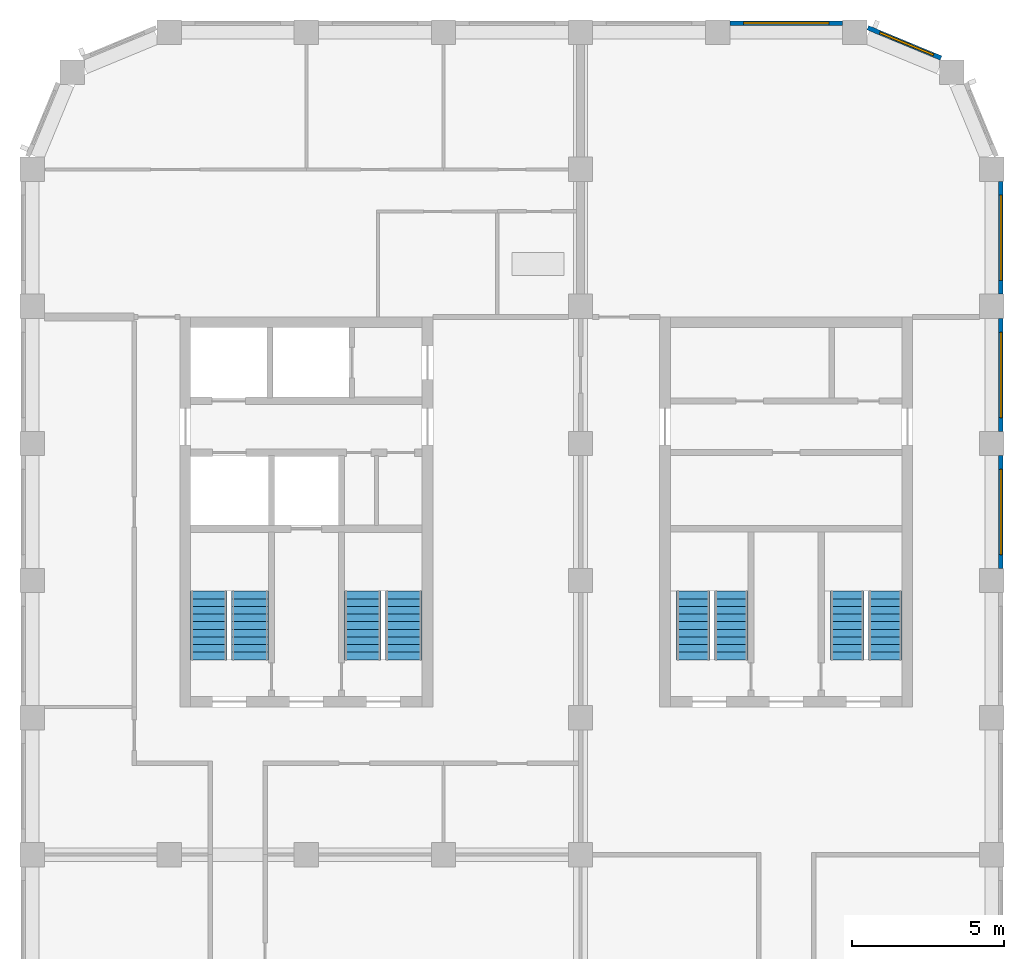
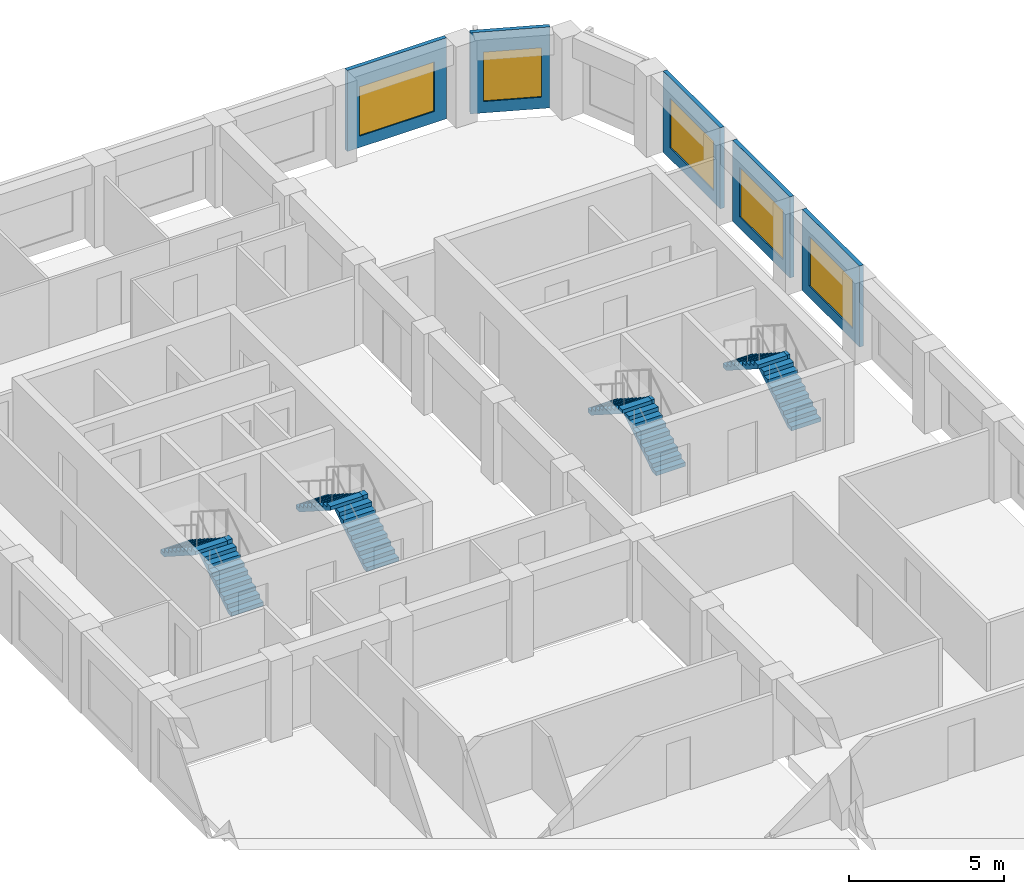
# One storey, part 7 of 9: 8 stair flights, 5 walls, 5 windows, 5 openings, 4 elements without a shape of their own.
"""IFC4 building model written with IfcOpenShell, lengths in metres."""

from ifc_helpers import new_model, si_unit, direction, frame, frame_2d, origin, place, context, subcontext, project, spatial, polyline, rectangle, outline, extrude, material, layer, layer_set, type_object, element, fill, aggregate, save


model = new_model("IFC4")

# Units and contexts
model_context = context("Model", 3, precision=1e-05, world=origin(), true_north=direction((0.0, 1.0)))
body_context = subcontext(model_context, "Body", "Model", "MODEL_VIEW")
ifc_project = project(units=[si_unit("LENGTHUNIT", "METRE"), si_unit("AREAUNIT", "SQUARE_METRE"), si_unit("VOLUMEUNIT", "CUBIC_METRE"), si_unit("PLANEANGLEUNIT", "RADIAN"), si_unit("MASSUNIT", "GRAM", prefix="KILO")], contexts=[model_context])

# Site, building, storey
site_placement = place(None, origin())
site = spatial("IfcSite", under=ifc_project, at=site_placement, CompositionType="ELEMENT")
building_placement = place(site_placement, origin())
building = spatial("IfcBuilding", under=site, at=building_placement, Name="Girih Gate Residences", CompositionType="ELEMENT")
storey_placement = place(building_placement, frame((0.0, 0.0, 198.699951171875)))
storey = spatial("IfcBuildingStorey", under=building, at=storey_placement, Name="L55", CompositionType="ELEMENT", Elevation=198.699951171875)

# Wall, opening, window
ifc_material_1 = material(Name="Precast concrete C50/60", Category="concrete")
ifc_layer_1 = layer(ifc_material_1, 0.050048828125, Name="Outer leaf")
ifc_material_2 = material(Name="Rigid PIR insulation")
ifc_layer_2 = layer(ifc_material_2, 0.06005859375, Name="Insulation")
ifc_material_3 = material(Name="Precast concrete C40/50", Category="concrete")
ifc_layer_3 = layer(ifc_material_3, 0.0400390625, Name="Inner leaf")
ifc_layer_set = layer_set([ifc_layer_1, ifc_layer_2, ifc_layer_3], Name="Precast concrete C50/60 external wall 150")
wall_type = type_object("IfcWallType", Name="Precast concrete C50/60 external wall 150", PredefinedType="SOLIDWALL", material=ifc_layer_set)
wall_1_placement = place(storey_placement, frame((31.800048828125, 35.60009765625, 0.0), z_axis=(0.0, 0.0, 1.0), x_axis=(0.0, -1.0, 0.0)))
wall_1 = element("IfcWall", 1, at=wall_1_placement, inside=storey, type_object=wall_type, Name="External wall E0315_0045.6", PredefinedType="SOLIDWALL", context=body_context, shape_type="SweptSolid", body=[
    extrude(rectangle(XDim=3.7001953125, YDim=0.14990234375, at=frame_2d((1.85009765625, 0.0))), origin(), (0.0, 0.0, 1.0), 3.199951171875),
])
opening_1_placement = place(wall_1_placement, frame((0.449951171875, 0.0, 0.449951171875)))
opening_1 = element("IfcOpeningElement", 2, at=opening_1_placement, cuts=wall_1, Name="Opening W-1B", PredefinedType="OPENING", context=body_context, shape_type="SweptSolid", body=[
    extrude(rectangle(XDim=2.800048828125, YDim=1.949951171875, at=frame_2d((1.39990234375, 0.97509765625))), frame((0.0, 0.0849609375, 0.0), z_axis=(0.0, -1.0, 0.0), x_axis=(1.0, 0.0, 0.0)), (0.0, 0.0, 1.0), 0.169921875),
])
ifc_material_4 = material(Name="Double glazing in aluminium frame", Category="aluminium")
window_type_1 = type_object("IfcWindowType", Name="Window W-1B 2800x1950", PartitioningType="SINGLE_PANEL", PredefinedType="WINDOW", material=ifc_material_4)
window_1_placement = place(opening_1_placement, origin())
window_1 = element("IfcWindow", 3, at=window_1_placement, inside=storey, type_object=window_type_1, Name="Window W-1B E0315_0045.6", OverallHeight=1.949951171875, OverallWidth=2.800048828125, PartitioningType="SINGLE_PANEL", PredefinedType="WINDOW", context=body_context, shape_type="SweptSolid", body=[
    extrude(rectangle(XDim=2.800048828125, YDim=1.949951171875, at=frame_2d((1.39990234375, 0.97509765625))), frame((0.0, 0.030029296875, 0.0), z_axis=(0.0, -1.0, 0.0), x_axis=(1.0, 0.0, 0.0)), (0.0, 0.0, 1.0), 0.06005859375),
])
fill(opening_1, window_1)

wall_2_placement = place(storey_placement, frame((31.800048828125, 40.10009765625, 0.0), z_axis=(0.0, 0.0, 1.0), x_axis=(0.0, -1.0, 0.0)))
wall_2 = element("IfcWall", 4, at=wall_2_placement, inside=storey, type_object=wall_type, Name="External wall E0315_0045.7", PredefinedType="SOLIDWALL", context=body_context, shape_type="SweptSolid", body=[
    extrude(rectangle(XDim=3.7001953125, YDim=0.14990234375, at=frame_2d((1.85009765625, 0.0))), origin(), (0.0, 0.0, 1.0), 3.199951171875),
])
opening_2_placement = place(wall_2_placement, frame((0.449951171875, 0.0, 0.449951171875)))
opening_2 = element("IfcOpeningElement", 5, at=opening_2_placement, cuts=wall_2, Name="Opening W-1B", PredefinedType="OPENING", context=body_context, shape_type="SweptSolid", body=[
    extrude(rectangle(XDim=2.800048828125, YDim=1.949951171875, at=frame_2d((1.39990234375, 0.97509765625))), frame((0.0, 0.0849609375, 0.0), z_axis=(0.0, -1.0, 0.0), x_axis=(1.0, 0.0, 0.0)), (0.0, 0.0, 1.0), 0.169921875),
])
window_2_placement = place(opening_2_placement, origin())
window_2 = element("IfcWindow", 6, at=window_2_placement, inside=storey, type_object=window_type_1, Name="Window W-1B E0315_0045.7", OverallHeight=1.949951171875, OverallWidth=2.800048828125, PartitioningType="SINGLE_PANEL", PredefinedType="WINDOW", context=body_context, shape_type="SweptSolid", body=[
    extrude(rectangle(XDim=2.800048828125, YDim=1.949951171875, at=frame_2d((1.39990234375, 0.97509765625))), frame((0.0, 0.030029296875, 0.0), z_axis=(0.0, -1.0, 0.0), x_axis=(1.0, 0.0, 0.0)), (0.0, 0.0, 1.0), 0.06005859375),
])
fill(opening_2, window_2)

wall_3_placement = place(storey_placement, frame((31.800048828125, 44.60009765625, 0.0), z_axis=(0.0, 0.0, 1.0), x_axis=(0.0, -1.0, 0.0)))
wall_3 = element("IfcWall", 7, at=wall_3_placement, inside=storey, type_object=wall_type, Name="External wall E0315_0045.8", PredefinedType="SOLIDWALL", context=body_context, shape_type="SweptSolid", body=[
    extrude(rectangle(XDim=3.7001953125, YDim=0.14990234375, at=frame_2d((1.85009765625, 0.0))), origin(), (0.0, 0.0, 1.0), 3.199951171875),
])
opening_3_placement = place(wall_3_placement, frame((0.449951171875, 0.0, 0.449951171875)))
opening_3 = element("IfcOpeningElement", 8, at=opening_3_placement, cuts=wall_3, Name="Opening W-1B", PredefinedType="OPENING", context=body_context, shape_type="SweptSolid", body=[
    extrude(rectangle(XDim=2.800048828125, YDim=1.949951171875, at=frame_2d((1.39990234375, 0.97509765625))), frame((0.0, 0.0849609375, 0.0), z_axis=(0.0, -1.0, 0.0), x_axis=(1.0, 0.0, 0.0)), (0.0, 0.0, 1.0), 0.169921875),
])
window_3_placement = place(opening_3_placement, origin())
window_3 = element("IfcWindow", 9, at=window_3_placement, inside=storey, type_object=window_type_1, Name="Window W-1B E0315_0045.8", OverallHeight=1.949951171875, OverallWidth=2.800048828125, PartitioningType="SINGLE_PANEL", PredefinedType="WINDOW", context=body_context, shape_type="SweptSolid", body=[
    extrude(rectangle(XDim=2.800048828125, YDim=1.949951171875, at=frame_2d((1.39990234375, 0.97509765625))), frame((0.0, 0.030029296875, 0.0), z_axis=(0.0, -1.0, 0.0), x_axis=(1.0, 0.0, 0.0)), (0.0, 0.0, 1.0), 0.06005859375),
])
fill(opening_3, window_3)

wall_4_placement = place(storey_placement, frame((27.4287109375, 49.647216796875, 0.0), z_axis=(0.0, 0.0, 1.0), x_axis=(0.923885342263, -0.382669406082, 0.0)))
wall_4 = element("IfcWall", 10, at=wall_4_placement, inside=storey, type_object=wall_type, Name="External wall NE0302_0482.0", PredefinedType="SOLIDWALL", context=body_context, shape_type="SweptSolid", body=[
    extrude(rectangle(XDim=2.602294921875, YDim=0.14990234375, at=frame_2d((1.30126953125, 0.0))), origin(), (0.0, 0.0, 1.0), 3.199951171875),
])
opening_4_placement = place(wall_4_placement, frame((0.432373046875, 0.0, 0.449951171875)))
opening_4 = element("IfcOpeningElement", 11, at=opening_4_placement, cuts=wall_4, Name="Opening W-2G", PredefinedType="OPENING", context=body_context, shape_type="SweptSolid", body=[
    extrude(rectangle(XDim=1.89990234375, YDim=1.949951171875, at=frame_2d((0.949951171875, 0.97509765625))), frame((0.0, 0.0849609375, 0.0), z_axis=(0.0, -1.0, 0.0), x_axis=(1.0, 0.0, 0.0)), (0.0, 0.0, 1.0), 0.169921875),
])
window_type_2 = type_object("IfcWindowType", Name="Window W-2G 1900x1950", PartitioningType="SINGLE_PANEL", PredefinedType="WINDOW", material=ifc_material_4)
window_4_placement = place(opening_4_placement, origin())
window_4 = element("IfcWindow", 12, at=window_4_placement, inside=storey, type_object=window_type_2, Name="Window W-2G NE0302_0482.0", OverallHeight=1.949951171875, OverallWidth=1.89990234375, PartitioningType="SINGLE_PANEL", PredefinedType="WINDOW", context=body_context, shape_type="SweptSolid", body=[
    extrude(rectangle(XDim=1.89990234375, YDim=1.949951171875, at=frame_2d((0.949951171875, 0.97509765625))), frame((0.0, 0.030029296875, 0.0), z_axis=(0.0, -1.0, 0.0), x_axis=(1.0, 0.0, 0.0)), (0.0, 0.0, 1.0), 0.06005859375),
])
fill(opening_4, window_4)

wall_5_placement = place(storey_placement, frame((22.89990234375, 49.800048828125, 0.0), z_axis=(0.0, 0.0, 1.0), x_axis=(1.0, 0.0, 0.0)))
wall_5 = element("IfcWall", 13, at=wall_5_placement, inside=storey, type_object=wall_type, Name="External wall N0270_0495.0", PredefinedType="SOLIDWALL", context=body_context, shape_type="SweptSolid", body=[
    extrude(rectangle(XDim=3.7001953125, YDim=0.14990234375, at=frame_2d((1.85009765625, 0.0))), origin(), (0.0, 0.0, 1.0), 3.199951171875),
])
opening_5_placement = place(wall_5_placement, frame((0.449951171875, 0.0, 0.449951171875)))
opening_5 = element("IfcOpeningElement", 14, at=opening_5_placement, cuts=wall_5, Name="Opening W-1B", PredefinedType="OPENING", context=body_context, shape_type="SweptSolid", body=[
    extrude(rectangle(XDim=2.800048828125, YDim=1.949951171875, at=frame_2d((1.39990234375, 0.97509765625))), frame((0.0, 0.0849609375, 0.0), z_axis=(0.0, -1.0, 0.0), x_axis=(1.0, 0.0, 0.0)), (0.0, 0.0, 1.0), 0.169921875),
])
window_5_placement = place(opening_5_placement, origin())
window_5 = element("IfcWindow", 15, at=window_5_placement, inside=storey, type_object=window_type_1, Name="Window W-1B N0270_0495.0", OverallHeight=1.949951171875, OverallWidth=2.800048828125, PartitioningType="SINGLE_PANEL", PredefinedType="WINDOW", context=body_context, shape_type="SweptSolid", body=[
    extrude(rectangle(XDim=2.800048828125, YDim=1.949951171875, at=frame_2d((1.39990234375, 0.97509765625))), frame((0.0, 0.030029296875, 0.0), z_axis=(0.0, -1.0, 0.0), x_axis=(1.0, 0.0, 0.0)), (0.0, 0.0, 1.0), 0.06005859375),
])
fill(opening_5, window_5)

# Stair, stair flights
ifc_material_5 = material(Name="Concrete C40/50", Category="concrete")
stair_type_1 = type_object("IfcStairType", Name="Exit stair C core", PredefinedType="HALF_TURN_STAIR", material=ifc_material_5)
stair_1_placement = place(storey_placement, origin())
stair_1 = element("IfcStair", 16, at=stair_1_placement, inside=storey, type_object=stair_type_1, Name="L55 Exit Stair ST-C1", PredefinedType="HALF_TURN_STAIR")
stair_flight_type_1 = type_object("IfcStairFlightType", Name="Stair flight 1100", PredefinedType="STRAIGHT", material=ifc_material_5)
stair_flight_1_placement = place(storey_placement, frame((22.949951171875, 28.89990234375, 0.0), z_axis=(0.0, 0.0, 1.0), x_axis=(0.0, 1.0, 0.0)))
stair_flight_1 = element("IfcStairFlight", 17, at=stair_flight_1_placement, type_object=stair_flight_type_1, Name="ST-C1 flight 1", NumberOfRisers=10, NumberOfTreads=9, PredefinedType="STRAIGHT", RiserHeight=0.16, TreadLength=0.25, context=body_context, shape_type="SweptSolid", body=[
    extrude(outline(polyline([(0.0, 0.0), (0.0, 0.159912109375), (0.25, 0.159912109375), (0.25, 0.320068359375), (0.5, 0.320068359375), (0.5, 0.47998046875), (0.75, 0.47998046875), (0.75, 0.639892578125), (1.0, 0.639892578125), (1.0, 0.800048828125), (1.25, 0.800048828125), (1.25, 0.9599609375), (1.5, 0.9599609375), (1.5, 1.1201171875), (1.75, 1.1201171875), (1.75, 1.280029296875), (2.0, 1.280029296875), (2.0, 1.43994140625), (2.25, 1.43994140625), (2.25, 1.60009765625), (2.25, 1.29736328125), (0.222900390625, 0.0), (0.0, 0.0)])), frame((0.0, 0.550048828125, 0.0), z_axis=(0.0, -1.0, 0.0), x_axis=(1.0, 0.0, 0.0)), (0.0, 0.0, 1.0), 1.10009765625),
])
stair_flight_2_placement = place(storey_placement, frame((21.699951171875, 31.14990234375, 1.60009765625), z_axis=(0.0, 0.0, 1.0), x_axis=(0.0, -1.0, 0.0)))
stair_flight_2 = element("IfcStairFlight", 18, at=stair_flight_2_placement, type_object=stair_flight_type_1, Name="ST-C1 flight 2", NumberOfRisers=10, NumberOfTreads=9, PredefinedType="STRAIGHT", RiserHeight=0.16, TreadLength=0.25, context=body_context, shape_type="SweptSolid", body=[
    extrude(outline(polyline([(0.0, 0.0), (0.0, 0.159912109375), (0.25, 0.159912109375), (0.25, 0.320068359375), (0.5, 0.320068359375), (0.5, 0.47998046875), (0.75, 0.47998046875), (0.75, 0.639892578125), (1.0, 0.639892578125), (1.0, 0.800048828125), (1.25, 0.800048828125), (1.25, 0.9599609375), (1.5, 0.9599609375), (1.5, 1.1201171875), (1.75, 1.1201171875), (1.75, 1.280029296875), (2.0, 1.280029296875), (2.0, 1.43994140625), (2.25, 1.43994140625), (2.25, 1.60009765625), (2.25, 1.29736328125), (0.222900390625, 0.0), (0.0, 0.0)])), frame((0.0, 0.550048828125, 0.0), z_axis=(0.0, -1.0, 0.0), x_axis=(1.0, 0.0, 0.0)), (0.0, 0.0, 1.0), 1.10009765625),
])
aggregate(stair_1, [stair_flight_1, stair_flight_2])

stair_2_placement = place(storey_placement, origin())
stair_2 = element("IfcStair", 19, at=stair_2_placement, inside=storey, type_object=stair_type_1, Name="L55 Exit Stair ST-C2", PredefinedType="HALF_TURN_STAIR")
stair_flight_3_placement = place(storey_placement, frame((28.0, 28.89990234375, 0.0), z_axis=(0.0, 0.0, 1.0), x_axis=(0.0, 1.0, 0.0)))
stair_flight_3 = element("IfcStairFlight", 20, at=stair_flight_3_placement, type_object=stair_flight_type_1, Name="ST-C2 flight 1", NumberOfRisers=10, NumberOfTreads=9, PredefinedType="STRAIGHT", RiserHeight=0.16, TreadLength=0.25, context=body_context, shape_type="SweptSolid", body=[
    extrude(outline(polyline([(0.0, 0.0), (0.0, 0.159912109375), (0.25, 0.159912109375), (0.25, 0.320068359375), (0.5, 0.320068359375), (0.5, 0.47998046875), (0.75, 0.47998046875), (0.75, 0.639892578125), (1.0, 0.639892578125), (1.0, 0.800048828125), (1.25, 0.800048828125), (1.25, 0.9599609375), (1.5, 0.9599609375), (1.5, 1.1201171875), (1.75, 1.1201171875), (1.75, 1.280029296875), (2.0, 1.280029296875), (2.0, 1.43994140625), (2.25, 1.43994140625), (2.25, 1.60009765625), (2.25, 1.29736328125), (0.222900390625, 0.0), (0.0, 0.0)])), frame((0.0, 0.550048828125, 0.0), z_axis=(0.0, -1.0, 0.0), x_axis=(1.0, 0.0, 0.0)), (0.0, 0.0, 1.0), 1.10009765625),
])
stair_flight_4_placement = place(storey_placement, frame((26.75, 31.14990234375, 1.60009765625), z_axis=(0.0, 0.0, 1.0), x_axis=(0.0, -1.0, 0.0)))
stair_flight_4 = element("IfcStairFlight", 21, at=stair_flight_4_placement, type_object=stair_flight_type_1, Name="ST-C2 flight 2", NumberOfRisers=10, NumberOfTreads=9, PredefinedType="STRAIGHT", RiserHeight=0.16, TreadLength=0.25, context=body_context, shape_type="SweptSolid", body=[
    extrude(outline(polyline([(0.0, 0.0), (0.0, 0.159912109375), (0.25, 0.159912109375), (0.25, 0.320068359375), (0.5, 0.320068359375), (0.5, 0.47998046875), (0.75, 0.47998046875), (0.75, 0.639892578125), (1.0, 0.639892578125), (1.0, 0.800048828125), (1.25, 0.800048828125), (1.25, 0.9599609375), (1.5, 0.9599609375), (1.5, 1.1201171875), (1.75, 1.1201171875), (1.75, 1.280029296875), (2.0, 1.280029296875), (2.0, 1.43994140625), (2.25, 1.43994140625), (2.25, 1.60009765625), (2.25, 1.29736328125), (0.222900390625, 0.0), (0.0, 0.0)])), frame((0.0, 0.550048828125, 0.0), z_axis=(0.0, -1.0, 0.0), x_axis=(1.0, 0.0, 0.0)), (0.0, 0.0, 1.0), 1.10009765625),
])
aggregate(stair_2, [stair_flight_3, stair_flight_4])

stair_type_2 = type_object("IfcStairType", Name="Exit stair", PredefinedType="HALF_TURN_STAIR", material=ifc_material_5)
stair_3_placement = place(storey_placement, origin())
stair_3 = element("IfcStair", 22, at=stair_3_placement, inside=storey, type_object=stair_type_2, Name="L55 Exit Stair ST-W1", PredefinedType="HALF_TURN_STAIR")
stair_flight_type_2 = type_object("IfcStairFlightType", Name="Stair flight 1200", PredefinedType="STRAIGHT", material=ifc_material_5)
stair_flight_5_placement = place(storey_placement, frame((7.14990234375, 28.89990234375, 0.0), z_axis=(0.0, 0.0, 1.0), x_axis=(0.0, 1.0, 0.0)))
stair_flight_5 = element("IfcStairFlight", 23, at=stair_flight_5_placement, type_object=stair_flight_type_2, Name="ST-W1 flight 1", NumberOfRisers=10, NumberOfTreads=9, PredefinedType="STRAIGHT", RiserHeight=0.16, TreadLength=0.25, context=body_context, shape_type="SweptSolid", body=[
    extrude(outline(polyline([(0.0, 0.0), (0.0, 0.159912109375), (0.25, 0.159912109375), (0.25, 0.320068359375), (0.5, 0.320068359375), (0.5, 0.47998046875), (0.75, 0.47998046875), (0.75, 0.639892578125), (1.0, 0.639892578125), (1.0, 0.800048828125), (1.25, 0.800048828125), (1.25, 0.9599609375), (1.5, 0.9599609375), (1.5, 1.1201171875), (1.75, 1.1201171875), (1.75, 1.280029296875), (2.0, 1.280029296875), (2.0, 1.43994140625), (2.25, 1.43994140625), (2.25, 1.60009765625), (2.25, 1.29736328125), (0.222900390625, 0.0), (0.0, 0.0)])), frame((0.0, 0.60009765625, 0.0), z_axis=(0.0, -1.0, 0.0), x_axis=(1.0, 0.0, 0.0)), (0.0, 0.0, 1.0), 1.199951171875),
])
stair_flight_6_placement = place(storey_placement, frame((5.800048828125, 31.14990234375, 1.60009765625), z_axis=(0.0, 0.0, 1.0), x_axis=(0.0, -1.0, 0.0)))
stair_flight_6 = element("IfcStairFlight", 24, at=stair_flight_6_placement, type_object=stair_flight_type_2, Name="ST-W1 flight 2", NumberOfRisers=10, NumberOfTreads=9, PredefinedType="STRAIGHT", RiserHeight=0.16, TreadLength=0.25, context=body_context, shape_type="SweptSolid", body=[
    extrude(outline(polyline([(0.0, 0.0), (0.0, 0.159912109375), (0.25, 0.159912109375), (0.25, 0.320068359375), (0.5, 0.320068359375), (0.5, 0.47998046875), (0.75, 0.47998046875), (0.75, 0.639892578125), (1.0, 0.639892578125), (1.0, 0.800048828125), (1.25, 0.800048828125), (1.25, 0.9599609375), (1.5, 0.9599609375), (1.5, 1.1201171875), (1.75, 1.1201171875), (1.75, 1.280029296875), (2.0, 1.280029296875), (2.0, 1.43994140625), (2.25, 1.43994140625), (2.25, 1.60009765625), (2.25, 1.29736328125), (0.222900390625, 0.0), (0.0, 0.0)])), frame((0.0, 0.60009765625, 0.0), z_axis=(0.0, -1.0, 0.0), x_axis=(1.0, 0.0, 0.0)), (0.0, 0.0, 1.0), 1.199951171875),
])
aggregate(stair_3, [stair_flight_5, stair_flight_6])

stair_4_placement = place(storey_placement, origin())
stair_4 = element("IfcStair", 25, at=stair_4_placement, inside=storey, type_object=stair_type_2, Name="L55 Exit Stair ST-W2", PredefinedType="HALF_TURN_STAIR")
stair_flight_7_placement = place(storey_placement, frame((12.199951171875, 28.89990234375, 0.0), z_axis=(0.0, 0.0, 1.0), x_axis=(0.0, 1.0, 0.0)))
stair_flight_7 = element("IfcStairFlight", 26, at=stair_flight_7_placement, type_object=stair_flight_type_2, Name="ST-W2 flight 1", NumberOfRisers=10, NumberOfTreads=9, PredefinedType="STRAIGHT", RiserHeight=0.16, TreadLength=0.25, context=body_context, shape_type="SweptSolid", body=[
    extrude(outline(polyline([(0.0, 0.0), (0.0, 0.159912109375), (0.25, 0.159912109375), (0.25, 0.320068359375), (0.5, 0.320068359375), (0.5, 0.47998046875), (0.75, 0.47998046875), (0.75, 0.639892578125), (1.0, 0.639892578125), (1.0, 0.800048828125), (1.25, 0.800048828125), (1.25, 0.9599609375), (1.5, 0.9599609375), (1.5, 1.1201171875), (1.75, 1.1201171875), (1.75, 1.280029296875), (2.0, 1.280029296875), (2.0, 1.43994140625), (2.25, 1.43994140625), (2.25, 1.60009765625), (2.25, 1.29736328125), (0.222900390625, 0.0), (0.0, 0.0)])), frame((0.0, 0.60009765625, 0.0), z_axis=(0.0, -1.0, 0.0), x_axis=(1.0, 0.0, 0.0)), (0.0, 0.0, 1.0), 1.199951171875),
])
stair_flight_8_placement = place(storey_placement, frame((10.85009765625, 31.14990234375, 1.60009765625), z_axis=(0.0, 0.0, 1.0), x_axis=(0.0, -1.0, 0.0)))
stair_flight_8 = element("IfcStairFlight", 27, at=stair_flight_8_placement, type_object=stair_flight_type_2, Name="ST-W2 flight 2", NumberOfRisers=10, NumberOfTreads=9, PredefinedType="STRAIGHT", RiserHeight=0.16, TreadLength=0.25, context=body_context, shape_type="SweptSolid", body=[
    extrude(outline(polyline([(0.0, 0.0), (0.0, 0.159912109375), (0.25, 0.159912109375), (0.25, 0.320068359375), (0.5, 0.320068359375), (0.5, 0.47998046875), (0.75, 0.47998046875), (0.75, 0.639892578125), (1.0, 0.639892578125), (1.0, 0.800048828125), (1.25, 0.800048828125), (1.25, 0.9599609375), (1.5, 0.9599609375), (1.5, 1.1201171875), (1.75, 1.1201171875), (1.75, 1.280029296875), (2.0, 1.280029296875), (2.0, 1.43994140625), (2.25, 1.43994140625), (2.25, 1.60009765625), (2.25, 1.29736328125), (0.222900390625, 0.0), (0.0, 0.0)])), frame((0.0, 0.60009765625, 0.0), z_axis=(0.0, -1.0, 0.0), x_axis=(1.0, 0.0, 0.0)), (0.0, 0.0, 1.0), 1.199951171875),
])
aggregate(stair_4, [stair_flight_7, stair_flight_8])

save(model, "model.ifc")
